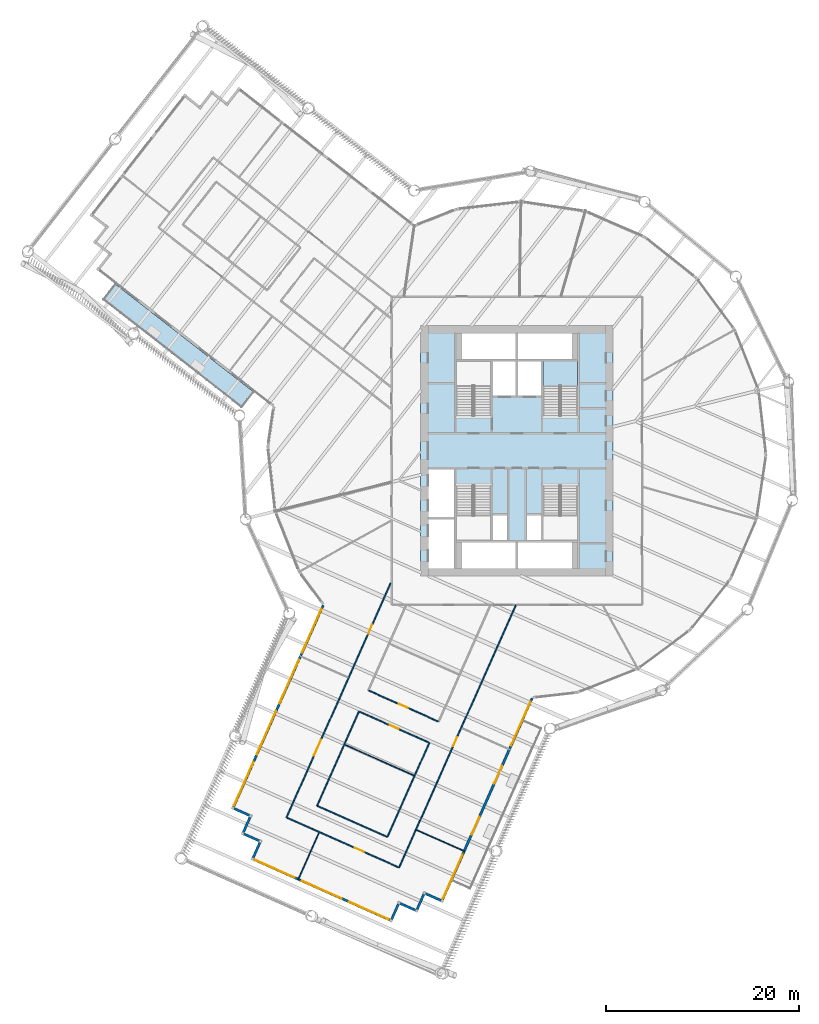
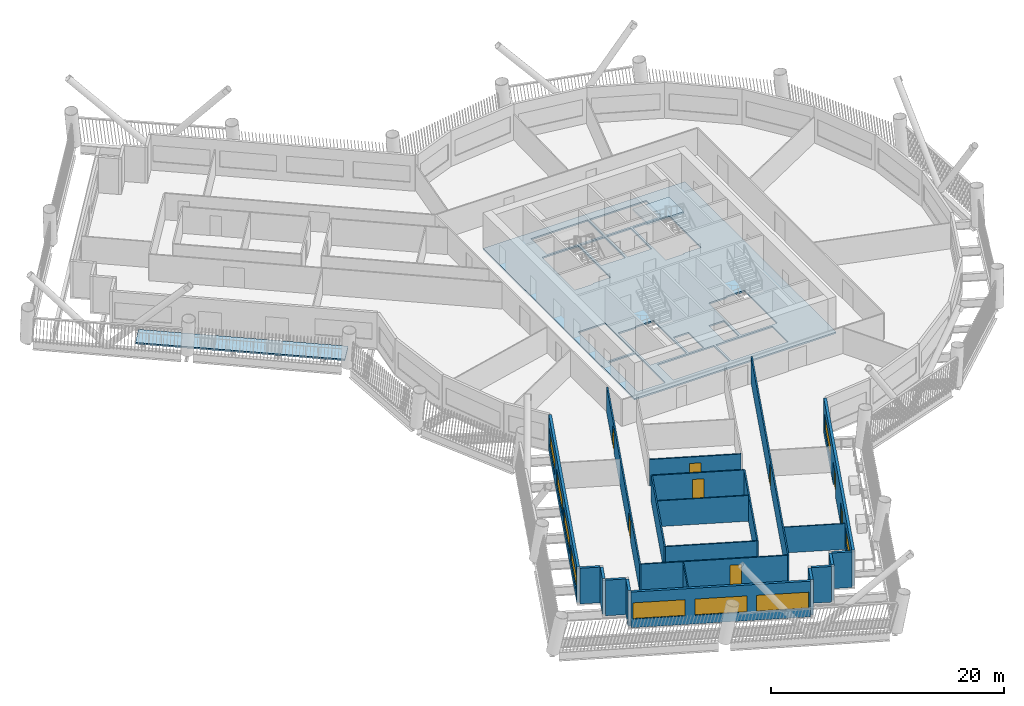
# One storey, part 3 of 22: 22 walls, 9 windows, 8 doors, 3 slabs, 17 openings, 1 element without a shape of its own.
"""IFC4 building model written with IfcOpenShell, lengths in metres."""

import ifcopenshell
import ifcopenshell.guid

model = None  # the IFC model being written
_history = None  # IfcOwnerHistory: only IFC2X3 demands one
_inside = {}  # id of a spatial element -> (the spatial element, [elements in it])
_under = {}  # id of a project, library or spatial element -> (it, [spatial elements below it])
_declared = {}  # id of a project -> (the project, [libraries it declares])
_typed = {}  # id of a type object -> (the type object, [elements of that type])
_made_of = {}  # id of a material, layer set ... -> (it, [elements and type objects made of it])


def new_model(schema):
    """Start an empty IFC model of exactly this schema.

    Asked for "IFC4X3", IfcOpenShell would pick the latest addendum, in which some entities
    have other attributes; the version numbers below select the first issue.
    IFC2X3 requires an IfcOwnerHistory on every rooted entity: one is made here for all.
    """
    global model, _history
    if schema == "IFC4X3":
        model = ifcopenshell.file(schema_version=(4, 3, 0, 0))
    else:
        model = ifcopenshell.file(schema=schema)
    _inside.clear()
    _under.clear()
    _declared.clear()
    _typed.clear()
    _made_of.clear()
    _history = None
    if model.schema == "IFC2X3":
        org = make("IfcOrganization", Name="unknown")
        user = make(
            "IfcPersonAndOrganization",
            ThePerson=make("IfcPerson", FamilyName="unknown"),
            TheOrganization=org,
        )
        app = make(
            "IfcApplication",
            ApplicationDeveloper=org,
            Version="unknown",
            ApplicationFullName="unknown",
            ApplicationIdentifier="unknown",
        )
        _history = make(
            "IfcOwnerHistory",
            OwningUser=user,
            OwningApplication=app,
            ChangeAction="ADDED",
            CreationDate=0,
        )
    return model


def make(cls, **values):
    """One entity of the class cls with the attributes given. An attribute that is None is left unset."""
    return model.create_entity(
        cls, **{name: value for name, value in values.items() if value is not None}
    )


def rooted(cls, **values):
    """An entity with a GlobalId (a new one), such as an element, a storey or a relation."""
    return make(cls, GlobalId=ifcopenshell.guid.new(), OwnerHistory=_history, **values)


def si_unit(unit_type, name, prefix=None):
    """IfcSIUnit, for example si_unit("LENGTHUNIT", "METRE", prefix="MILLI")."""
    return make("IfcSIUnit", UnitType=unit_type, Prefix=prefix, Name=name)


def assignment(units):
    """IfcUnitAssignment: the units of a project."""
    return None if units is None else make("IfcUnitAssignment", Units=units)


def point(xyz):
    """IfcCartesianPoint."""
    return None if xyz is None else make("IfcCartesianPoint", Coordinates=xyz)


def direction(xyz):
    """IfcDirection."""
    return None if xyz is None else make("IfcDirection", DirectionRatios=xyz)


def frame(location, z_axis=None, x_axis=None):
    """IfcAxis2Placement3D, a coordinate frame: its origin and axes. An axis left out is left unset."""
    return make(
        "IfcAxis2Placement3D",
        Location=point(location),
        Axis=direction(z_axis),
        RefDirection=direction(x_axis),
    )


def frame_2d(location, x_axis=None):
    """IfcAxis2Placement2D, a coordinate frame in the plane: its origin and x axis."""
    return make(
        "IfcAxis2Placement2D", Location=point(location), RefDirection=direction(x_axis)
    )


def origin():
    """The frame at (0, 0, 0) with its axes left unset."""
    return frame((0.0, 0.0, 0.0))


def place(relative_to, where):
    """IfcLocalPlacement: puts the frame where relative to a parent placement (None: the world)."""
    return make(
        "IfcLocalPlacement", PlacementRelTo=relative_to, RelativePlacement=where
    )


def context(
    kind, dimensions, precision=None, world=None, true_north=None, identifier=None
):
    """IfcGeometricRepresentationContext, for example the 3D "Model" context."""
    return make(
        "IfcGeometricRepresentationContext",
        ContextIdentifier=identifier,
        ContextType=kind,
        CoordinateSpaceDimension=dimensions,
        Precision=precision,
        WorldCoordinateSystem=world,
        TrueNorth=true_north,
    )


def subcontext(parent, identifier, kind, view, scale=None):
    """IfcGeometricRepresentationSubContext, for example "Body" below "Model"."""
    return make(
        "IfcGeometricRepresentationSubContext",
        ContextIdentifier=identifier,
        ContextType=kind,
        ParentContext=parent,
        TargetScale=scale,
        TargetView=view,
    )


def project(units=None, contexts=None):
    """IfcProject with its units and contexts."""
    return rooted(
        "IfcProject",
        Name="project",
        RepresentationContexts=contexts,
        UnitsInContext=assignment(units),
    )


def spatial(cls, under=None, at=None, **own):
    """A site, building, storey or space (cls), placed at a placement, below another one or the project."""
    s = rooted(cls, ObjectPlacement=at, **own)
    if under is not None:
        _under.setdefault(under.id(), (under, []))[1].append(s)
    return s


def polyline(points):
    """IfcPolyline through the points."""
    return make("IfcPolyline", Points=[point(p) for p in points])


def profile(cls, at=None, kind="AREA", **sizes):
    """A parametric profile (cls). Its sizes go by their IFC names, for example OverallWidth=200.0."""
    return make(cls, ProfileType=kind, Position=at, **sizes)


def rectangle(**sizes):
    """IfcRectangleProfileDef."""
    return profile("IfcRectangleProfileDef", **sizes)


def outline(outer, holes=None, kind="AREA"):
    """IfcArbitraryClosedProfileDef: a profile drawn as a closed curve; with holes, ...WithVoids."""
    if holes is None:
        return make("IfcArbitraryClosedProfileDef", ProfileType=kind, OuterCurve=outer)
    return make(
        "IfcArbitraryProfileDefWithVoids",
        ProfileType=kind,
        OuterCurve=outer,
        InnerCurves=holes,
    )


def extrude(swept, where, along, depth):
    """IfcExtrudedAreaSolid: the profile swept, set in the frame where, extruded along a direction by depth."""
    return make(
        "IfcExtrudedAreaSolid",
        SweptArea=swept,
        Position=where,
        ExtrudedDirection=direction(along),
        Depth=depth,
    )


def shape(context_of_items, identifier, shape_type, items):
    """IfcShapeRepresentation: the items that make up one representation, for example the "Body"."""
    return make(
        "IfcShapeRepresentation",
        ContextOfItems=context_of_items,
        RepresentationIdentifier=identifier,
        RepresentationType=shape_type,
        Items=items,
    )


def material(Name=None, Category=None):
    """IfcMaterial."""
    return make("IfcMaterial", Name=Name, Category=Category)


def layer(
    of_material, thickness, ventilated=None, Name=None, Category=None, Priority=None
):
    """IfcMaterialLayer: one layer of a wall or slab, of a material (None: an air gap)."""
    return make(
        "IfcMaterialLayer",
        Material=of_material,
        LayerThickness=thickness,
        IsVentilated=ventilated,
        Name=Name,
        Category=Category,
        Priority=Priority,
    )


def layer_set(layers, Name=None):
    """IfcMaterialLayerSet."""
    return make("IfcMaterialLayerSet", MaterialLayers=layers, LayerSetName=Name)


def made_of(thing, what):
    """Note that an element or type object is made of a material, layer set ...; save() writes the relation."""
    if what is not None:
        _made_of.setdefault(what.id(), (what, []))[1].append(thing)
    return thing


def type_object(cls, material=None, **own):
    """A type object (cls), such as IfcWallType, which elements share."""
    return made_of(rooted(cls, **own), material)


def element(
    cls,
    number,
    at=None,
    inside=None,
    cuts=None,
    type_object=None,
    material=None,
    context=None,
    identifier="Body",
    shape_type=None,
    held_by="IfcProductDefinitionShape",
    body=None,
    shapes=None,
    **own,
):
    """One element of the class cls, such as IfcWall. Its Tag is "e" and its number.

    at: its placement. inside: the storey or other place that contains it. cuts: it is an
    opening in that element (IfcRelVoidsElement). A single representation is given by context,
    identifier, shape_type and body (its items); several are given by shapes. held_by: the class
    of the entity that holds the representations. save() writes the other relations.
    """
    e = rooted(cls, Tag="e%d" % number, ObjectPlacement=at, **own)
    if body is not None:
        shapes = [shape(context, identifier, shape_type, body)]
    if shapes is not None:
        e.Representation = make(held_by, Representations=shapes)
    if inside is not None:
        _inside.setdefault(inside.id(), (inside, []))[1].append(e)
    if cuts is not None:
        rooted(
            "IfcRelVoidsElement", RelatingBuildingElement=cuts, RelatedOpeningElement=e
        )
    if type_object is not None:
        _typed.setdefault(type_object.id(), (type_object, []))[1].append(e)
    return made_of(e, material)


def fill(opening, filler):
    """IfcRelFillsElement: the door or window that sits in an opening."""
    return rooted(
        "IfcRelFillsElement",
        RelatingOpeningElement=opening,
        RelatedBuildingElement=filler,
    )


def aggregate(whole, parts):
    """IfcRelAggregates: a whole, such as a stair, and the parts it consists of."""
    return rooted("IfcRelAggregates", RelatingObject=whole, RelatedObjects=parts)


def save(model, path):
    """Write the relations noted so far, then the file.

    IfcRelAggregates (storeys below a building ...), IfcRelContainedInSpatialStructure (elements
    in a storey), IfcRelDefinesByType, IfcRelAssociatesMaterial and IfcRelDeclares: one each for
    every whole, place, type object, material and project.
    """
    for whole, parts in _under.values():
        aggregate(whole, parts)
    for where, things in _inside.values():
        rooted(
            "IfcRelContainedInSpatialStructure",
            RelatedElements=things,
            RelatingStructure=where,
        )
    for kind, things in _typed.values():
        rooted("IfcRelDefinesByType", RelatedObjects=things, RelatingType=kind)
    for what, things in _made_of.values():
        rooted("IfcRelAssociatesMaterial", RelatedObjects=things, RelatingMaterial=what)
    for by, libraries in _declared.values():
        rooted("IfcRelDeclares", RelatingContext=by, RelatedDefinitions=libraries)
    model.write(path)


model = new_model("IFC4")

# Units and contexts
model_context = context("Model", 3, precision=1e-05, world=origin(), true_north=direction((0.0, 1.0)))
body_context = subcontext(model_context, "Body", "Model", "MODEL_VIEW")
ifc_project = project(units=[si_unit("LENGTHUNIT", "METRE"), si_unit("AREAUNIT", "SQUARE_METRE"), si_unit("VOLUMEUNIT", "CUBIC_METRE"), si_unit("PLANEANGLEUNIT", "RADIAN"), si_unit("MASSUNIT", "GRAM", prefix="KILO")], contexts=[model_context])

# Site, building, storey
site_placement = place(None, origin())
site = spatial("IfcSite", under=ifc_project, at=site_placement, CompositionType="ELEMENT")
building_placement = place(site_placement, origin())
building = spatial("IfcBuilding", under=site, at=building_placement, Name="Tarsis Ring Headquarters", CompositionType="ELEMENT")
storey_placement = place(building_placement, frame((0.0, 0.0, 116.199951171875)))
storey = spatial("IfcBuildingStorey", under=building, at=storey_placement, Name="L26", CompositionType="ELEMENT", Elevation=116.199951171875)

# Slabs
ifc_material_1 = material(Name="Concrete C40/50", Category="concrete")
ifc_layer_1 = layer(ifc_material_1, 0.159912109375)
ifc_layer_set_1 = layer_set([ifc_layer_1], Name="Balcony slab concrete C40/50")
slab_type_1 = type_object("IfcSlabType", Name="Balcony slab concrete C40/50", PredefinedType="FLOOR", material=ifc_layer_set_1)
slab_1_placement = place(storey_placement, frame((0.0, 0.0, -0.159912109375)))
element("IfcSlab", 1, at=slab_1_placement, inside=storey, type_object=slab_type_1, Name="Balcony slab L26-01", PredefinedType="FLOOR", context=body_context, shape_type="SweptSolid", body=[
    extrude(outline(polyline([(-41.678466796875, 17.296142578125), (-42.90869140625, 15.71923828125), (-28.581298828125, 4.541259765625), (-27.35107421875, 6.1181640625), (-41.678466796875, 17.296142578125)])), origin(), (0.0, 0.0, 1.0), 0.159912109375),
])
ifc_layer_2 = layer(ifc_material_1, 0.159912109375)
ifc_layer_set_2 = layer_set([ifc_layer_2], Name="Core floor slab 160 C40/50")
slab_type_2 = type_object("IfcSlabType", Name="Core floor slab 160 C40/50", PredefinedType="FLOOR", material=ifc_layer_set_2)
slab_2_placement = place(storey_placement, frame((0.0, 0.0, -0.159912109375)))
element("IfcSlab", 2, at=slab_2_placement, inside=storey, type_object=slab_type_2, Name="L26 core floor slab", PredefinedType="FLOOR", context=body_context, shape_type="SweptSolid", body=[
    extrude(outline(polyline([(-10.0, -13.0), (10.0, -13.0), (10.0, 13.0), (-10.0, 13.0), (-10.0, -13.0)]), holes=[polyline([(-2.5, 5.699951171875), (-0.10009765625, 5.699951171875), (-0.10009765625, 9.300048828125), (-2.5, 9.300048828125), (-2.5, 5.699951171875)]), polyline([(0.10009765625, 5.699951171875), (2.5, 5.699951171875), (2.5, 9.300048828125), (0.10009765625, 9.300048828125), (0.10009765625, 5.699951171875)]), polyline([(-9.199951171875, -12.199951171875), (-6.5, -12.199951171875), (-6.5, -7.10009765625), (-9.199951171875, -7.10009765625), (-9.199951171875, -12.199951171875)]), polyline([(-9.199951171875, -6.89990234375), (-6.5, -6.89990234375), (-6.5, -1.89990234375), (-9.199951171875, -1.89990234375), (-9.199951171875, -6.89990234375)]), polyline([(-5.699951171875, 9.5), (-0.10009765625, 9.5), (-0.10009765625, 12.199951171875), (-5.699951171875, 12.199951171875), (-5.699951171875, 9.5)]), polyline([(0.10009765625, 9.5), (5.699951171875, 9.5), (5.699951171875, 12.199951171875), (0.10009765625, 12.199951171875), (0.10009765625, 9.5)]), polyline([(-5.699951171875, -12.199951171875), (-0.10009765625, -12.199951171875), (-0.10009765625, -9.5), (-5.699951171875, -9.5), (-5.699951171875, -12.199951171875)]), polyline([(0.10009765625, -12.199951171875), (5.699951171875, -12.199951171875), (5.699951171875, -9.5), (0.10009765625, -9.5), (0.10009765625, -12.199951171875)]), polyline([(-2.5, -9.300048828125), (-1.0, -9.300048828125), (-1.0, -6.699951171875), (-2.5, -6.699951171875), (-2.5, -9.300048828125)]), polyline([(1.0, -9.300048828125), (2.5, -9.300048828125), (2.5, -6.699951171875), (1.0, -6.699951171875), (1.0, -9.300048828125)]), polyline([(-2.699951171875, 3.760009765625), (-2.699951171875, 9.300048828125), (-6.300048828125, 9.300048828125), (-6.300048828125, 3.659912109375), (-4.4599609375, 3.659912109375), (-4.4599609375, 3.760009765625), (-2.699951171875, 3.760009765625)]), polyline([(6.300048828125, 3.760009765625), (6.300048828125, 9.300048828125), (2.699951171875, 9.300048828125), (2.699951171875, 3.659912109375), (4.5400390625, 3.659912109375), (4.5400390625, 3.760009765625), (6.300048828125, 3.760009765625)]), polyline([(-6.300048828125, -3.760009765625), (-6.300048828125, -9.300048828125), (-2.699951171875, -9.300048828125), (-2.699951171875, -3.659912109375), (-4.5400390625, -3.659912109375), (-4.5400390625, -3.760009765625), (-6.300048828125, -3.760009765625)]), polyline([(2.699951171875, -3.760009765625), (2.699951171875, -9.300048828125), (6.300048828125, -9.300048828125), (6.300048828125, -3.659912109375), (4.4599609375, -3.659912109375), (4.4599609375, -3.760009765625), (2.699951171875, -3.760009765625)])]), origin(), (0.0, 0.0, 1.0), 0.159912109375),
])

# Stair, slab
ifc_material_2 = material(Name="Core stair 1760")
stair_type = type_object("IfcStairType", Name="Core stair 1760", PredefinedType="HALF_TURN_STAIR", material=ifc_material_2)
stair_placement = place(storey_placement, origin())
stair = element("IfcStair", 3, at=stair_placement, inside=storey, type_object=stair_type, Name="L26 Exit stair B", PredefinedType="HALF_TURN_STAIR")
ifc_layer_3 = layer(ifc_material_1, 0.199951171875)
ifc_layer_set_3 = layer_set([ifc_layer_3], Name="Core stair landing 200")
slab_type_3 = type_object("IfcSlabType", Name="Core stair landing 200", PredefinedType="LANDING", material=ifc_layer_set_3)
slab_3_placement = place(storey_placement, frame((0.0, 0.0, 1.75)))
slab_3 = element("IfcSlab", 4, at=slab_3_placement, type_object=slab_type_3, Name="Stair ST2 landing 1", PredefinedType="LANDING", context=body_context, shape_type="SweptSolid", body=[
    extrude(outline(polyline([(6.300048828125, 6.739990234375), (6.300048828125, 9.300048828125), (2.699951171875, 9.300048828125), (2.699951171875, 6.739990234375), (6.300048828125, 6.739990234375)])), origin(), (0.0, 0.0, 1.0), 0.199951171875),
])
aggregate(stair, [slab_3])

# Walls
ifc_material_3 = material(Name="Gypsum board on steel studs", Category="steel")
ifc_layer_4 = layer(ifc_material_3, 0.10009765625)
ifc_layer_set_4 = layer_set([ifc_layer_4], Name="FL partition 100 unrated")
wall_type_1 = type_object("IfcWallType", Name="FL partition 100 unrated", PredefinedType="PARTITIONING", material=ifc_layer_set_4)
wall_1_placement = place(storey_placement, frame((-17.86572265625, -30.525146484375, 0.0), z_axis=(0.0, 0.0, 1.0), x_axis=(0.913829480145, -0.406098117723, 0.0)))
element("IfcWall", 5, at=wall_1_placement, inside=storey, type_object=wall_type_1, Name="Partition PW3", PredefinedType="PARTITIONING", context=body_context, shape_type="SweptSolid", body=[
    extrude(rectangle(XDim=7.85986328125, YDim=0.10009765625, at=frame_2d((3.929931640625, 0.0))), origin(), (0.0, 0.0, 1.0), 2.699951171875),
])
wall_2_placement = place(storey_placement, frame((-10.416748046875, -39.37255859375, 0.0), z_axis=(0.0, 0.0, 1.0), x_axis=(0.91383543019, -0.406084728265, 0.0)))
element("IfcWall", 6, at=wall_2_placement, inside=storey, type_object=wall_type_1, Name="Partition PW3", PredefinedType="PARTITIONING", context=body_context, shape_type="SweptSolid", body=[
    extrude(rectangle(XDim=5.47998046875, YDim=0.10009765625, at=frame_2d((2.739990234375, 0.0))), origin(), (0.0, 0.0, 1.0), 2.699951171875),
])
wall_3_placement = place(storey_placement, frame((-22.724609375, -44.5615234375, 0.0), z_axis=(0.0, 0.0, 1.0), x_axis=(0.406125811214, 0.913817172888, 0.0)))
element("IfcWall", 7, at=wall_3_placement, inside=storey, type_object=wall_type_1, Name="Partition PW3", PredefinedType="PARTITIONING", context=body_context, shape_type="SweptSolid", body=[
    extrude(rectangle(XDim=5.3701171875, YDim=0.10009765625, at=frame_2d((2.68505859375, 0.0))), origin(), (0.0, 0.0, 1.0), 2.699951171875),
])

# Wall, opening, door
ifc_layer_5 = layer(ifc_material_3, 0.125)
ifc_layer_set_5 = layer_set([ifc_layer_5], Name="FL partition 125 EI 60 H2770")
wall_type_2 = type_object("IfcWallType", Name="FL partition 125 EI 60 H2770", PredefinedType="PARTITIONING", material=ifc_layer_set_5)
wall_4_placement = place(storey_placement, frame((-12.226806640625, -43.273681640625, 0.0), z_axis=(0.0, 0.0, 1.0), x_axis=(0.406095962504, 0.913830437903, 0.0)))
wall_4 = element("IfcWall", 8, at=wall_4_placement, inside=storey, type_object=wall_type_2, Name="Partition PW1", PredefinedType="PARTITIONING", context=body_context, shape_type="SweptSolid", body=[
    extrude(rectangle(XDim=29.845458984375, YDim=0.125, at=frame_2d((14.9228515625, 0.0))), origin(), (0.0, 0.0, 1.0), 2.77001953125),
])
opening_1_placement = place(wall_4_placement, frame((13.81005859375, 0.0, 0.0)))
opening_1 = element("IfcOpeningElement", 9, at=opening_1_placement, cuts=wall_4, Name="Opening D26.10", PredefinedType="OPENING", context=body_context, shape_type="SweptSolid", body=[
    extrude(rectangle(XDim=1.0, YDim=2.10009765625, at=frame_2d((0.5, 1.050048828125))), frame((0.0, 0.072509765625, 0.0), z_axis=(0.0, -1.0, 0.0), x_axis=(1.0, 0.0, 0.0)), (0.0, 0.0, 1.0), 0.14501953125),
])
ifc_material_4 = material(Name="Fire-rated timber door leaf in steel frame", Category="steel")
door_type_1 = type_object("IfcDoorType", Name="FL door FD60-1000", OperationType="NOTDEFINED", PredefinedType="DOOR", material=ifc_material_4)
door_1_placement = place(opening_1_placement, origin())
door_1 = element("IfcDoor", 10, at=door_1_placement, inside=storey, type_object=door_type_1, Name="Door D26.10", OperationType="SINGLE_SWING_RIGHT", OverallHeight=2.10009765625, OverallWidth=1.0, PredefinedType="DOOR", context=body_context, shape_type="SweptSolid", body=[
    extrude(rectangle(XDim=1.0, YDim=2.10009765625, at=frame_2d((0.5, 1.050048828125))), frame((0.0, 0.02490234375, 0.0), z_axis=(0.0, -1.0, 0.0), x_axis=(1.0, 0.0, 0.0)), (0.0, 0.0, 1.0), 0.050048828125),
])
fill(opening_1, door_1)

# Wall, openings, doors
wall_5_placement = place(storey_placement, frame((-23.924072265625, -38.075439453125, 0.0), z_axis=(0.0, 0.0, 1.0), x_axis=(0.406104440313, 0.913826670413, 0.0)))
wall_5 = element("IfcWall", 11, at=wall_5_placement, inside=storey, type_object=wall_type_2, Name="Partition PW1", PredefinedType="PARTITIONING", context=body_context, shape_type="SweptSolid", body=[
    extrude(rectangle(XDim=26.629638671875, YDim=0.125, at=frame_2d((13.31494140625, 0.0))), origin(), (0.0, 0.0, 1.0), 2.77001953125),
])
opening_2_placement = place(wall_5_placement, frame((7.04443359375, 0.0, 0.0)))
opening_2 = element("IfcOpeningElement", 12, at=opening_2_placement, cuts=wall_5, Name="Opening D26.12", PredefinedType="OPENING", context=body_context, shape_type="SweptSolid", body=[
    extrude(rectangle(XDim=1.800048828125, YDim=2.10009765625, at=frame_2d((0.89990234375, 1.050048828125))), frame((0.0, 0.072509765625, 0.0), z_axis=(0.0, -1.0, 0.0), x_axis=(1.0, 0.0, 0.0)), (0.0, 0.0, 1.0), 0.14501953125),
])
opening_3_placement = place(wall_5_placement, frame((20.894287109375, 0.0, 0.0)))
opening_3 = element("IfcOpeningElement", 13, at=opening_3_placement, cuts=wall_5, Name="Opening D26.13", PredefinedType="OPENING", context=body_context, shape_type="SweptSolid", body=[
    extrude(rectangle(XDim=1.0, YDim=2.10009765625, at=frame_2d((0.5, 1.050048828125))), frame((0.0, 0.072509765625, 0.0), z_axis=(0.0, -1.0, 0.0), x_axis=(1.0, 0.0, 0.0)), (0.0, 0.0, 1.0), 0.14501953125),
])
door_2_placement = place(opening_3_placement, origin())
door_2 = element("IfcDoor", 14, at=door_2_placement, inside=storey, type_object=door_type_1, Name="Door D26.13", OperationType="SINGLE_SWING_LEFT", OverallHeight=2.10009765625, OverallWidth=1.0, PredefinedType="DOOR", context=body_context, shape_type="SweptSolid", body=[
    extrude(rectangle(XDim=1.0, YDim=2.10009765625, at=frame_2d((0.5, 1.050048828125))), frame((0.0, 0.02490234375, 0.0), z_axis=(0.0, -1.0, 0.0), x_axis=(1.0, 0.0, 0.0)), (0.0, 0.0, 1.0), 0.050048828125),
])
fill(opening_3, door_2)
door_type_2 = type_object("IfcDoorType", Name="FL door FD60-1800", OperationType="DOUBLE_DOOR_SINGLE_SWING", PredefinedType="DOOR", material=ifc_material_4)
door_3_placement = place(opening_2_placement, origin())
door_3 = element("IfcDoor", 15, at=door_3_placement, inside=storey, type_object=door_type_2, Name="Door D26.12", OperationType="DOUBLE_DOOR_SINGLE_SWING", OverallHeight=2.10009765625, OverallWidth=1.800048828125, PredefinedType="DOOR", context=body_context, shape_type="SweptSolid", body=[
    extrude(rectangle(XDim=1.800048828125, YDim=2.10009765625, at=frame_2d((0.89990234375, 1.050048828125))), frame((0.0, 0.02490234375, 0.0), z_axis=(0.0, -1.0, 0.0), x_axis=(1.0, 0.0, 0.0)), (0.0, 0.0, 1.0), 0.050048828125),
])
fill(opening_2, door_3)

# Wall, opening, door
wall_6_placement = place(storey_placement, frame((-23.869140625, -38.099853515625, 0.0), z_axis=(0.0, 0.0, 1.0), x_axis=(0.913827427407, -0.406102736902, 0.0)))
wall_6 = element("IfcWall", 16, at=wall_6_placement, inside=storey, type_object=wall_type_2, Name="Partition PW1", PredefinedType="PARTITIONING", context=body_context, shape_type="SweptSolid", body=[
    extrude(rectangle(XDim=12.68017578125, YDim=0.125, at=frame_2d((6.340087890625, 0.0))), origin(), (0.0, 0.0, 1.0), 2.77001953125),
])
opening_4_placement = place(wall_6_placement, frame((7.706787109375, 0.0, 0.0)))
opening_4 = element("IfcOpeningElement", 17, at=opening_4_placement, cuts=wall_6, Name="Opening D26.11", PredefinedType="OPENING", context=body_context, shape_type="SweptSolid", body=[
    extrude(rectangle(XDim=1.0, YDim=2.10009765625, at=frame_2d((0.5, 1.050048828125))), frame((0.0, 0.072509765625, 0.0), z_axis=(0.0, -1.0, 0.0), x_axis=(1.0, 0.0, 0.0)), (0.0, 0.0, 1.0), 0.14501953125),
])
door_4_placement = place(opening_4_placement, origin())
door_4 = element("IfcDoor", 18, at=door_4_placement, inside=storey, type_object=door_type_1, Name="Door D26.11", OperationType="SINGLE_SWING_LEFT", OverallHeight=2.10009765625, OverallWidth=1.0, PredefinedType="DOOR", context=body_context, shape_type="SweptSolid", body=[
    extrude(rectangle(XDim=1.0, YDim=2.10009765625, at=frame_2d((0.5, 1.050048828125))), frame((0.0, 0.02490234375, 0.0), z_axis=(0.0, -1.0, 0.0), x_axis=(1.0, 0.0, 0.0)), (0.0, 0.0, 1.0), 0.050048828125),
])
fill(opening_4, door_4)

# Walls
for number, where, z_axis, x_axis, name in (
    (19, (-13.445556640625, -40.105712890625, 0.0), (0.0, 0.0, 1.0), (0.40610250989, 0.91382752829, 0.0), "Partition PW1"),
    (20, (-20.756103515625, -36.85693359375, 0.0), (0.0, 0.0, 1.0), (0.40610250989, 0.91382752829, 0.0), "Partition PW1"),
):
    element("IfcWall", number, at=place(storey_placement, frame(where, z_axis=z_axis, x_axis=x_axis)), inside=storey, type_object=wall_type_2, Name=name, PredefinedType="PARTITIONING", context=body_context, shape_type="SweptSolid", body=[
        extrude(rectangle(XDim=10.7099609375, YDim=0.125, at=frame_2d((5.35498046875, 0.0))), origin(), (0.0, 0.0, 1.0), 2.77001953125),
    ])
wall_7_placement = place(storey_placement, frame((-20.701416015625, -36.88134765625, 0.0), z_axis=(0.0, 0.0, 1.0), x_axis=(0.913838376203, -0.40607809862, 0.0)))
element("IfcWall", 21, at=wall_7_placement, inside=storey, type_object=wall_type_2, Name="Partition PW1", PredefinedType="PARTITIONING", context=body_context, shape_type="SweptSolid", body=[
    extrude(rectangle(XDim=7.880126953125, YDim=0.125, at=frame_2d((3.93994140625, 0.0))), origin(), (0.0, 0.0, 1.0), 2.77001953125),
])

# Wall, opening, door
wall_8_placement = place(storey_placement, frame((-15.37744140625, -24.90087890625, 0.0), z_axis=(0.0, 0.0, 1.0), x_axis=(0.913821769283, -0.406115468783, 0.0)))
wall_8 = element("IfcWall", 22, at=wall_8_placement, inside=storey, type_object=wall_type_2, Name="Partition PW1", PredefinedType="PARTITIONING", context=body_context, shape_type="SweptSolid", body=[
    extrude(rectangle(XDim=7.880126953125, YDim=0.125, at=frame_2d((3.93994140625, 0.0))), origin(), (0.0, 0.0, 1.0), 2.77001953125),
])
opening_5_placement = place(wall_8_placement, frame((3.43994140625, 0.0, 0.0)))
opening_5 = element("IfcOpeningElement", 23, at=opening_5_placement, cuts=wall_8, Name="Opening D26.19", PredefinedType="OPENING", context=body_context, shape_type="SweptSolid", body=[
    extrude(rectangle(XDim=1.0, YDim=2.10009765625, at=frame_2d((0.5, 1.050048828125))), frame((0.0, 0.072509765625, 0.0), z_axis=(0.0, -1.0, 0.0), x_axis=(1.0, 0.0, 0.0)), (0.0, 0.0, 1.0), 0.14501953125),
])
door_5_placement = place(opening_5_placement, origin())
door_5 = element("IfcDoor", 24, at=door_5_placement, inside=storey, type_object=door_type_1, Name="Door D26.19", OperationType="SINGLE_SWING_LEFT", OverallHeight=2.10009765625, OverallWidth=1.0, PredefinedType="DOOR", context=body_context, shape_type="SweptSolid", body=[
    extrude(rectangle(XDim=1.0, YDim=2.10009765625, at=frame_2d((0.5, 1.050048828125))), frame((0.0, 0.02490234375, 0.0), z_axis=(0.0, -1.0, 0.0), x_axis=(1.0, 0.0, 0.0)), (0.0, 0.0, 1.0), 0.050048828125),
])
fill(opening_5, door_5)

wall_9_placement = place(storey_placement, frame((-16.35205078125, -27.09423828125, 0.0), z_axis=(0.0, 0.0, 1.0), x_axis=(0.913838376203, -0.40607809862, 0.0)))
wall_9 = element("IfcWall", 25, at=wall_9_placement, inside=storey, type_object=wall_type_2, Name="Partition PW1", PredefinedType="PARTITIONING", context=body_context, shape_type="SweptSolid", body=[
    extrude(rectangle(XDim=7.880126953125, YDim=0.125, at=frame_2d((3.93994140625, 0.0))), origin(), (0.0, 0.0, 1.0), 2.77001953125),
])
opening_6_placement = place(wall_9_placement, frame((3.43994140625, 0.0, 0.0)))
opening_6 = element("IfcOpeningElement", 26, at=opening_6_placement, cuts=wall_9, Name="Opening D26.20", PredefinedType="OPENING", context=body_context, shape_type="SweptSolid", body=[
    extrude(rectangle(XDim=1.0, YDim=2.10009765625, at=frame_2d((0.5, 1.050048828125))), frame((0.0, 0.072509765625, 0.0), z_axis=(0.0, -1.0, 0.0), x_axis=(1.0, 0.0, 0.0)), (0.0, 0.0, 1.0), 0.14501953125),
])
door_6_placement = place(opening_6_placement, origin())
door_6 = element("IfcDoor", 27, at=door_6_placement, inside=storey, type_object=door_type_1, Name="Door D26.20", OperationType="SINGLE_SWING_RIGHT", OverallHeight=2.10009765625, OverallWidth=1.0, PredefinedType="DOOR", context=body_context, shape_type="SweptSolid", body=[
    extrude(rectangle(XDim=1.0, YDim=2.10009765625, at=frame_2d((0.5, 1.050048828125))), frame((0.0, 0.02490234375, 0.0), z_axis=(0.0, -1.0, 0.0), x_axis=(1.0, 0.0, 0.0)), (0.0, 0.0, 1.0), 0.050048828125),
])
fill(opening_6, door_6)

# Wall, openings, windows
ifc_material_5 = material(Name="Terracotta clad insulated panel wall", Category="masonry")
ifc_layer_6 = layer(ifc_material_5, 0.25)
ifc_layer_set_6 = layer_set([ifc_layer_6], Name="Facade wall terracotta panel 250")
wall_type_3 = type_object("IfcWallType", Name="Facade wall terracotta panel 250", PredefinedType="STANDARD", material=ifc_layer_set_6)
wall_10_placement = place(storey_placement, frame((-20.1220703125, -16.03857421875, 0.0), z_axis=(0.0, 0.0, 1.0), x_axis=(-0.406098936422, -0.913829116322, 0.0)))
wall_10 = element("IfcWall", 28, at=wall_10_placement, inside=storey, type_object=wall_type_3, Name="External wall L26-06", PredefinedType="STANDARD", context=body_context, shape_type="SweptSolid", body=[
    extrude(rectangle(XDim=22.921875, YDim=0.25, at=frame_2d((11.4609375, 0.0))), origin(), (0.0, 0.0, 1.0), 3.739990234375),
])
opening_7_placement = place(wall_10_placement, frame((0.42138671875, 0.0, 0.89990234375)))
opening_7 = element("IfcOpeningElement", 29, at=opening_7_placement, cuts=wall_10, Name="Opening WN05", PredefinedType="OPENING", context=body_context, shape_type="SweptSolid", body=[
    extrude(rectangle(XDim=4.949951171875, YDim=1.699951171875, at=frame_2d((2.47509765625, 0.85009765625))), frame((0.0, 0.135009765625, 0.0), z_axis=(0.0, -1.0, 0.0), x_axis=(1.0, 0.0, 0.0)), (0.0, 0.0, 1.0), 0.27001953125),
])
opening_8_placement = place(wall_10_placement, frame((6.214599609375, 0.0, 0.89990234375)))
opening_8 = element("IfcOpeningElement", 30, at=opening_8_placement, cuts=wall_10, Name="Opening WN05", PredefinedType="OPENING", context=body_context, shape_type="SweptSolid", body=[
    extrude(rectangle(XDim=4.949951171875, YDim=1.699951171875, at=frame_2d((2.47509765625, 0.85009765625))), frame((0.0, 0.135009765625, 0.0), z_axis=(0.0, -1.0, 0.0), x_axis=(1.0, 0.0, 0.0)), (0.0, 0.0, 1.0), 0.27001953125),
])
opening_9_placement = place(wall_10_placement, frame((12.007568359375, 0.0, 0.89990234375)))
opening_9 = element("IfcOpeningElement", 31, at=opening_9_placement, cuts=wall_10, Name="Opening WN05", PredefinedType="OPENING", context=body_context, shape_type="SweptSolid", body=[
    extrude(rectangle(XDim=4.949951171875, YDim=1.699951171875, at=frame_2d((2.47509765625, 0.85009765625))), frame((0.0, 0.135009765625, 0.0), z_axis=(0.0, -1.0, 0.0), x_axis=(1.0, 0.0, 0.0)), (0.0, 0.0, 1.0), 0.27001953125),
])
opening_10_placement = place(wall_10_placement, frame((17.800537109375, 0.0, 0.89990234375)))
opening_10 = element("IfcOpeningElement", 32, at=opening_10_placement, cuts=wall_10, Name="Opening WN05", PredefinedType="OPENING", context=body_context, shape_type="SweptSolid", body=[
    extrude(rectangle(XDim=4.949951171875, YDim=1.699951171875, at=frame_2d((2.47509765625, 0.85009765625))), frame((0.0, 0.135009765625, 0.0), z_axis=(0.0, -1.0, 0.0), x_axis=(1.0, 0.0, 0.0)), (0.0, 0.0, 1.0), 0.27001953125),
])
ifc_material_6 = material(Name="Aluminium framed double glazing", Category="aluminium")
window_type_1 = type_object("IfcWindowType", Name="Facade window 4950 x 1700", PartitioningType="SINGLE_PANEL", PredefinedType="WINDOW", material=ifc_material_6)
window_1_placement = place(opening_7_placement, origin())
window_1 = element("IfcWindow", 33, at=window_1_placement, inside=storey, type_object=window_type_1, Name="Window L26-06.1", OverallHeight=1.699951171875, OverallWidth=4.949951171875, PartitioningType="SINGLE_PANEL", PredefinedType="WINDOW", context=body_context, shape_type="SweptSolid", body=[
    extrude(rectangle(XDim=4.949951171875, YDim=1.699951171875, at=frame_2d((2.47509765625, 0.85009765625))), frame((0.0, 0.030029296875, 0.0), z_axis=(0.0, -1.0, 0.0), x_axis=(1.0, 0.0, 0.0)), (0.0, 0.0, 1.0), 0.06005859375),
])
fill(opening_7, window_1)
window_2_placement = place(opening_8_placement, origin())
window_2 = element("IfcWindow", 34, at=window_2_placement, inside=storey, type_object=window_type_1, Name="Window L26-06.2", OverallHeight=1.699951171875, OverallWidth=4.949951171875, PartitioningType="SINGLE_PANEL", PredefinedType="WINDOW", context=body_context, shape_type="SweptSolid", body=[
    extrude(rectangle(XDim=4.949951171875, YDim=1.699951171875, at=frame_2d((2.47509765625, 0.85009765625))), frame((0.0, 0.030029296875, 0.0), z_axis=(0.0, -1.0, 0.0), x_axis=(1.0, 0.0, 0.0)), (0.0, 0.0, 1.0), 0.06005859375),
])
fill(opening_8, window_2)
window_3_placement = place(opening_9_placement, origin())
window_3 = element("IfcWindow", 35, at=window_3_placement, inside=storey, type_object=window_type_1, Name="Window L26-06.3", OverallHeight=1.699951171875, OverallWidth=4.949951171875, PartitioningType="SINGLE_PANEL", PredefinedType="WINDOW", context=body_context, shape_type="SweptSolid", body=[
    extrude(rectangle(XDim=4.949951171875, YDim=1.699951171875, at=frame_2d((2.47509765625, 0.85009765625))), frame((0.0, 0.030029296875, 0.0), z_axis=(0.0, -1.0, 0.0), x_axis=(1.0, 0.0, 0.0)), (0.0, 0.0, 1.0), 0.06005859375),
])
fill(opening_9, window_3)
window_4_placement = place(opening_10_placement, origin())
window_4 = element("IfcWindow", 36, at=window_4_placement, inside=storey, type_object=window_type_1, Name="Window L26-06.4", OverallHeight=1.699951171875, OverallWidth=4.949951171875, PartitioningType="SINGLE_PANEL", PredefinedType="WINDOW", context=body_context, shape_type="SweptSolid", body=[
    extrude(rectangle(XDim=4.949951171875, YDim=1.699951171875, at=frame_2d((2.47509765625, 0.85009765625))), frame((0.0, 0.030029296875, 0.0), z_axis=(0.0, -1.0, 0.0), x_axis=(1.0, 0.0, 0.0)), (0.0, 0.0, 1.0), 0.06005859375),
])
fill(opening_10, window_4)

# Walls
for number, where, z_axis, x_axis, name in (
    (37, (-29.3671875, -37.150146484375, 0.0), (0.0, 0.0, 1.0), (0.913817301687, -0.406125521406, 0.0), "External wall L26-07"),
    (38, (-27.70458984375, -38.02587890625, 0.0), (0.0, 0.0, 1.0), (-0.406125521406, -0.913817301687, 0.0), "External wall L26-08"),
    (39, (-28.351806640625, -39.7900390625, 0.0), (0.0, 0.0, 1.0), (0.913817301687, -0.406125521406, 0.0), "External wall L26-09"),
    (40, (-26.689208984375, -40.665771484375, 0.0), (0.0, 0.0, 1.0), (-0.406125521406, -0.913817301687, 0.0), "External wall L26-10"),
):
    element("IfcWall", number, at=place(storey_placement, frame(where, z_axis=z_axis, x_axis=x_axis)), inside=storey, type_object=wall_type_3, Name=name, PredefinedType="STANDARD", context=body_context, shape_type="SweptSolid", body=[
        extrude(rectangle(XDim=1.75, YDim=0.25, at=frame_2d((0.875, 0.0))), origin(), (0.0, 0.0, 1.0), 3.739990234375),
    ])

# Wall, openings, windows
wall_11_placement = place(storey_placement, frame((-27.33642578125, -42.429931640625, 0.0), z_axis=(0.0, 0.0, 1.0), x_axis=(0.913825188137, -0.406107775751, 0.0)))
wall_11 = element("IfcWall", 41, at=wall_11_placement, inside=storey, type_object=wall_type_3, Name="External wall L26-11", PredefinedType="STANDARD", context=body_context, shape_type="SweptSolid", body=[
    extrude(rectangle(XDim=15.5, YDim=0.25, at=frame_2d((7.75, 0.0))), origin(), (0.0, 0.0, 1.0), 3.739990234375),
])
opening_11_placement = place(wall_11_placement, frame((0.166748046875, 0.0, 0.89990234375)))
opening_11 = element("IfcOpeningElement", 42, at=opening_11_placement, cuts=wall_11, Name="Opening WN04", PredefinedType="OPENING", context=body_context, shape_type="SweptSolid", body=[
    extrude(rectangle(XDim=4.5, YDim=1.699951171875, at=frame_2d((2.25, 0.85009765625))), frame((0.0, 0.135009765625, 0.0), z_axis=(0.0, -1.0, 0.0), x_axis=(1.0, 0.0, 0.0)), (0.0, 0.0, 1.0), 0.27001953125),
])
opening_12_placement = place(wall_11_placement, frame((5.5, 0.0, 0.89990234375)))
opening_12 = element("IfcOpeningElement", 43, at=opening_12_placement, cuts=wall_11, Name="Opening WN04", PredefinedType="OPENING", context=body_context, shape_type="SweptSolid", body=[
    extrude(rectangle(XDim=4.5, YDim=1.699951171875, at=frame_2d((2.25, 0.85009765625))), frame((0.0, 0.135009765625, 0.0), z_axis=(0.0, -1.0, 0.0), x_axis=(1.0, 0.0, 0.0)), (0.0, 0.0, 1.0), 0.27001953125),
])
opening_13_placement = place(wall_11_placement, frame((10.833251953125, 0.0, 0.89990234375)))
opening_13 = element("IfcOpeningElement", 44, at=opening_13_placement, cuts=wall_11, Name="Opening WN04", PredefinedType="OPENING", context=body_context, shape_type="SweptSolid", body=[
    extrude(rectangle(XDim=4.5, YDim=1.699951171875, at=frame_2d((2.25, 0.85009765625))), frame((0.0, 0.135009765625, 0.0), z_axis=(0.0, -1.0, 0.0), x_axis=(1.0, 0.0, 0.0)), (0.0, 0.0, 1.0), 0.27001953125),
])
window_type_2 = type_object("IfcWindowType", Name="Facade window 4500 x 1700", PartitioningType="SINGLE_PANEL", PredefinedType="WINDOW", material=ifc_material_6)
window_5_placement = place(opening_11_placement, origin())
window_5 = element("IfcWindow", 45, at=window_5_placement, inside=storey, type_object=window_type_2, Name="Window L26-11.1", OverallHeight=1.699951171875, OverallWidth=4.5, PartitioningType="SINGLE_PANEL", PredefinedType="WINDOW", context=body_context, shape_type="SweptSolid", body=[
    extrude(rectangle(XDim=4.5, YDim=1.699951171875, at=frame_2d((2.25, 0.85009765625))), frame((0.0, 0.030029296875, 0.0), z_axis=(0.0, -1.0, 0.0), x_axis=(1.0, 0.0, 0.0)), (0.0, 0.0, 1.0), 0.06005859375),
])
fill(opening_11, window_5)
window_6_placement = place(opening_12_placement, origin())
window_6 = element("IfcWindow", 46, at=window_6_placement, inside=storey, type_object=window_type_2, Name="Window L26-11.2", OverallHeight=1.699951171875, OverallWidth=4.5, PartitioningType="SINGLE_PANEL", PredefinedType="WINDOW", context=body_context, shape_type="SweptSolid", body=[
    extrude(rectangle(XDim=4.5, YDim=1.699951171875, at=frame_2d((2.25, 0.85009765625))), frame((0.0, 0.030029296875, 0.0), z_axis=(0.0, -1.0, 0.0), x_axis=(1.0, 0.0, 0.0)), (0.0, 0.0, 1.0), 0.06005859375),
])
fill(opening_12, window_6)
window_7_placement = place(opening_13_placement, origin())
window_7 = element("IfcWindow", 47, at=window_7_placement, inside=storey, type_object=window_type_2, Name="Window L26-11.3", OverallHeight=1.699951171875, OverallWidth=4.5, PartitioningType="SINGLE_PANEL", PredefinedType="WINDOW", context=body_context, shape_type="SweptSolid", body=[
    extrude(rectangle(XDim=4.5, YDim=1.699951171875, at=frame_2d((2.25, 0.85009765625))), frame((0.0, 0.030029296875, 0.0), z_axis=(0.0, -1.0, 0.0), x_axis=(1.0, 0.0, 0.0)), (0.0, 0.0, 1.0), 0.06005859375),
])
fill(opening_13, window_7)

# Walls
wall_12_placement = place(storey_placement, frame((-13.007080078125, -48.6611328125, 0.0), z_axis=(0.0, 0.0, 1.0), x_axis=(0.406073750253, 0.913840308454, 0.0)))
element("IfcWall", 48, at=wall_12_placement, inside=storey, type_object=wall_type_3, Name="External wall L26-12", PredefinedType="STANDARD", context=body_context, shape_type="SweptSolid", body=[
    extrude(rectangle(XDim=1.750244140625, YDim=0.25, at=frame_2d((0.875, 0.0))), origin(), (0.0, 0.0, 1.0), 3.739990234375),
])
for number, where, z_axis, x_axis, name in (
    (49, (-12.13134765625, -46.998291015625, 0.0), (0.0, 0.0, 1.0), (0.913817301687, -0.406125521406, 0.0), "External wall L26-13"),
    (50, (-10.3671875, -47.6455078125, 0.0), (0.0, 0.0, 1.0), (0.406125521406, 0.913817301687, 0.0), "External wall L26-14"),
    (51, (-9.491455078125, -45.98291015625, 0.0), (0.0, 0.0, 1.0), (0.913817301687, -0.406125521406, 0.0), "External wall L26-15"),
):
    element("IfcWall", number, at=place(storey_placement, frame(where, z_axis=z_axis, x_axis=x_axis)), inside=storey, type_object=wall_type_3, Name=name, PredefinedType="STANDARD", context=body_context, shape_type="SweptSolid", body=[
        extrude(rectangle(XDim=1.75, YDim=0.25, at=frame_2d((0.875, 0.0))), origin(), (0.0, 0.0, 1.0), 3.739990234375),
    ])

# Wall, openings, doors, windows
wall_13_placement = place(storey_placement, frame((-7.727294921875, -46.630126953125, 0.0), z_axis=(0.0, 0.0, 1.0), x_axis=(0.406100879224, 0.913828252952, 0.0)))
wall_13 = element("IfcWall", 52, at=wall_13_placement, inside=storey, type_object=wall_type_3, Name="External wall L26-16", PredefinedType="STANDARD", context=body_context, shape_type="SweptSolid", body=[
    extrude(rectangle(XDim=22.9013671875, YDim=0.25, at=frame_2d((11.45068359375, 0.0))), origin(), (0.0, 0.0, 1.0), 3.739990234375),
])
opening_14_placement = place(wall_13_placement, frame((0.1689453125, 0.0, 0.89990234375)))
opening_14 = element("IfcOpeningElement", 53, at=opening_14_placement, cuts=wall_13, Name="Opening WN05", PredefinedType="OPENING", context=body_context, shape_type="SweptSolid", body=[
    extrude(rectangle(XDim=4.949951171875, YDim=1.699951171875, at=frame_2d((2.47509765625, 0.85009765625))), frame((0.0, 0.135009765625, 0.0), z_axis=(0.0, -1.0, 0.0), x_axis=(1.0, 0.0, 0.0)), (0.0, 0.0, 1.0), 0.27001953125),
])
opening_15_placement = place(wall_13_placement, frame((7.431640625, 0.0, 0.0)))
opening_15 = element("IfcOpeningElement", 54, at=opening_15_placement, cuts=wall_13, Name="Opening L26-BD03", PredefinedType="OPENING", context=body_context, shape_type="SweptSolid", body=[
    extrude(rectangle(XDim=2.0, YDim=2.39990234375, at=frame_2d((1.0, 1.199951171875))), frame((0.0, 0.135009765625, 0.0), z_axis=(0.0, -1.0, 0.0), x_axis=(1.0, 0.0, 0.0)), (0.0, 0.0, 1.0), 0.27001953125),
])
opening_16_placement = place(wall_13_placement, frame((13.219482421875, 0.0, 0.0)))
opening_16 = element("IfcOpeningElement", 55, at=opening_16_placement, cuts=wall_13, Name="Opening L26-BD04", PredefinedType="OPENING", context=body_context, shape_type="SweptSolid", body=[
    extrude(rectangle(XDim=2.0, YDim=2.39990234375, at=frame_2d((1.0, 1.199951171875))), frame((0.0, 0.135009765625, 0.0), z_axis=(0.0, -1.0, 0.0), x_axis=(1.0, 0.0, 0.0)), (0.0, 0.0, 1.0), 0.27001953125),
])
opening_17_placement = place(wall_13_placement, frame((17.532470703125, 0.0, 0.89990234375)))
opening_17 = element("IfcOpeningElement", 56, at=opening_17_placement, cuts=wall_13, Name="Opening WN05", PredefinedType="OPENING", context=body_context, shape_type="SweptSolid", body=[
    extrude(rectangle(XDim=4.949951171875, YDim=1.699951171875, at=frame_2d((2.47509765625, 0.85009765625))), frame((0.0, 0.135009765625, 0.0), z_axis=(0.0, -1.0, 0.0), x_axis=(1.0, 0.0, 0.0)), (0.0, 0.0, 1.0), 0.27001953125),
])
door_type_3 = type_object("IfcDoorType", Name="Balcony sliding door 2000 x 2400", OperationType="SLIDING_TO_LEFT", PredefinedType="DOOR", material=ifc_material_6)
door_7_placement = place(opening_15_placement, origin())
door_7 = element("IfcDoor", 57, at=door_7_placement, inside=storey, type_object=door_type_3, Name="Door L26-BD03", OperationType="SINGLE_SWING_LEFT", OverallHeight=2.39990234375, OverallWidth=2.0, PredefinedType="DOOR", context=body_context, shape_type="SweptSolid", body=[
    extrude(rectangle(XDim=2.0, YDim=2.39990234375, at=frame_2d((1.0, 1.199951171875))), frame((0.0, 0.02490234375, 0.0), z_axis=(0.0, -1.0, 0.0), x_axis=(1.0, 0.0, 0.0)), (0.0, 0.0, 1.0), 0.050048828125),
])
fill(opening_15, door_7)
door_8_placement = place(opening_16_placement, origin())
door_8 = element("IfcDoor", 58, at=door_8_placement, inside=storey, type_object=door_type_3, Name="Door L26-BD04", OperationType="SINGLE_SWING_LEFT", OverallHeight=2.39990234375, OverallWidth=2.0, PredefinedType="DOOR", context=body_context, shape_type="SweptSolid", body=[
    extrude(rectangle(XDim=2.0, YDim=2.39990234375, at=frame_2d((1.0, 1.199951171875))), frame((0.0, 0.02490234375, 0.0), z_axis=(0.0, -1.0, 0.0), x_axis=(1.0, 0.0, 0.0)), (0.0, 0.0, 1.0), 0.050048828125),
])
fill(opening_16, door_8)
window_8_placement = place(opening_14_placement, origin())
window_8 = element("IfcWindow", 59, at=window_8_placement, inside=storey, type_object=window_type_1, Name="Window L26-16.1", OverallHeight=1.699951171875, OverallWidth=4.949951171875, PartitioningType="SINGLE_PANEL", PredefinedType="WINDOW", context=body_context, shape_type="SweptSolid", body=[
    extrude(rectangle(XDim=4.949951171875, YDim=1.699951171875, at=frame_2d((2.47509765625, 0.85009765625))), frame((0.0, 0.030029296875, 0.0), z_axis=(0.0, -1.0, 0.0), x_axis=(1.0, 0.0, 0.0)), (0.0, 0.0, 1.0), 0.06005859375),
])
fill(opening_14, window_8)
window_9_placement = place(opening_17_placement, origin())
window_9 = element("IfcWindow", 60, at=window_9_placement, inside=storey, type_object=window_type_1, Name="Window L26-16.4", OverallHeight=1.699951171875, OverallWidth=4.949951171875, PartitioningType="SINGLE_PANEL", PredefinedType="WINDOW", context=body_context, shape_type="SweptSolid", body=[
    extrude(rectangle(XDim=4.949951171875, YDim=1.699951171875, at=frame_2d((2.47509765625, 0.85009765625))), frame((0.0, 0.030029296875, 0.0), z_axis=(0.0, -1.0, 0.0), x_axis=(1.0, 0.0, 0.0)), (0.0, 0.0, 1.0), 0.06005859375),
])
fill(opening_17, window_9)

save(model, "model.ifc")
